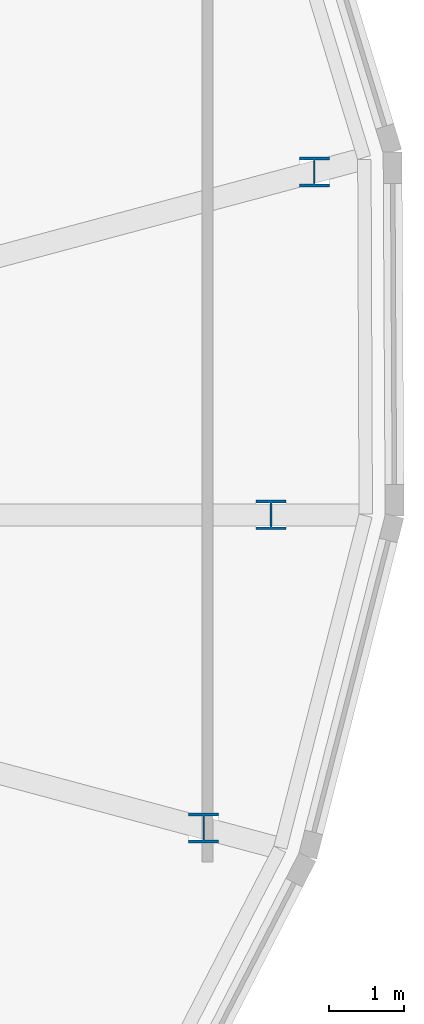
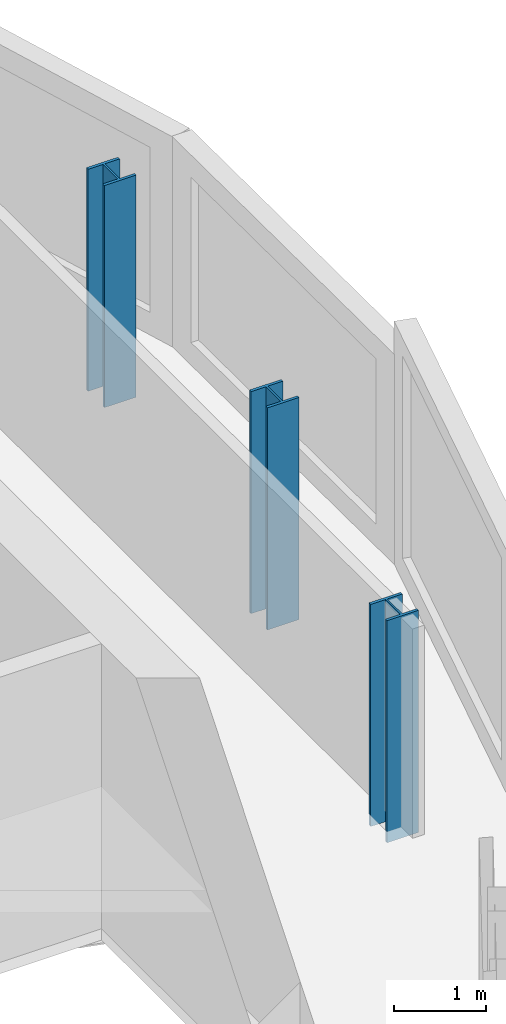
# One storey, part 2 of 36: 3 columns.
"""IFC4 building model written with IfcOpenShell, lengths in metres."""

from ifc_helpers import new_model, si_unit, direction, frame, origin, origin_2d, place, context, subcontext, project, spatial, i_section, extrude, material, material_profile, profile_set, type_object, element, save


model = new_model("IFC4")

# Units and contexts
model_context = context("Model", 3, precision=1e-05, world=origin(), true_north=direction((0.0, 1.0)))
body_context = subcontext(model_context, "Body", "Model", "MODEL_VIEW")
ifc_project = project(units=[si_unit("LENGTHUNIT", "METRE"), si_unit("AREAUNIT", "SQUARE_METRE"), si_unit("VOLUMEUNIT", "CUBIC_METRE"), si_unit("PLANEANGLEUNIT", "RADIAN"), si_unit("MASSUNIT", "GRAM", prefix="KILO")], contexts=[model_context])

# Site, building, storey
site_placement = place(None, origin())
site = spatial("IfcSite", under=ifc_project, at=site_placement, CompositionType="ELEMENT")
building_placement = place(site_placement, origin())
building = spatial("IfcBuilding", under=site, at=building_placement, Name="Rimbun Link Towers", CompositionType="ELEMENT")
storey_placement = place(building_placement, frame((0.0, 0.0, 189.300048828125)))
storey = spatial("IfcBuildingStorey", under=building, at=storey_placement, Name="L46", CompositionType="ELEMENT", Elevation=189.300048828125)

# Columns
ifc_material = material(Name="Steel S355J2", Category="steel")
ifc_material_profile = material_profile(ifc_material, i_section(OverallWidth=0.39892578125, OverallDepth=0.3935546875, WebThickness=0.022705078125, FlangeThickness=0.03662109375, at=origin_2d()), Name="UC 356x406x287")
ifc_profile_set = profile_set([ifc_material_profile], Name="Steel S355J2")
column_type = type_object("IfcColumnType", Name="UC 356x406x287", PredefinedType="COLUMN", material=ifc_profile_set)
for number, where, z_axis, x_axis, name in (
    (1, (47.2734375, -4.159423828125, -0.150146484375), (0.0, 0.0, 1.0), (1.0, 0.0, 0.0), "Crease post T2 L46 20"),
    (2, (48.1689453125, 0.0, -0.150146484375), (0.0, 0.0, 1.0), (1.0, 0.0, 0.0), "Crease post T2 L46 21"),
    (3, (48.743408203125, 4.553466796875, -0.150146484375), (0.0, 0.0, 1.0), (1.0, 0.0, 0.0), "Crease post T2 L46 22"),
):
    element("IfcColumn", number, at=place(storey_placement, frame(where, z_axis=z_axis, x_axis=x_axis)), inside=storey, type_object=column_type, Name=name, PredefinedType="COLUMN", context=body_context, shape_type="SweptSolid", body=[
        extrude(i_section(OverallWidth=0.39892578125, OverallDepth=0.3935546875, WebThickness=0.022705078125, FlangeThickness=0.03662109375, at=origin_2d()), origin(), (0.0, 0.0, 1.0), 2.95947265625),
    ])

save(model, "model.ifc")
